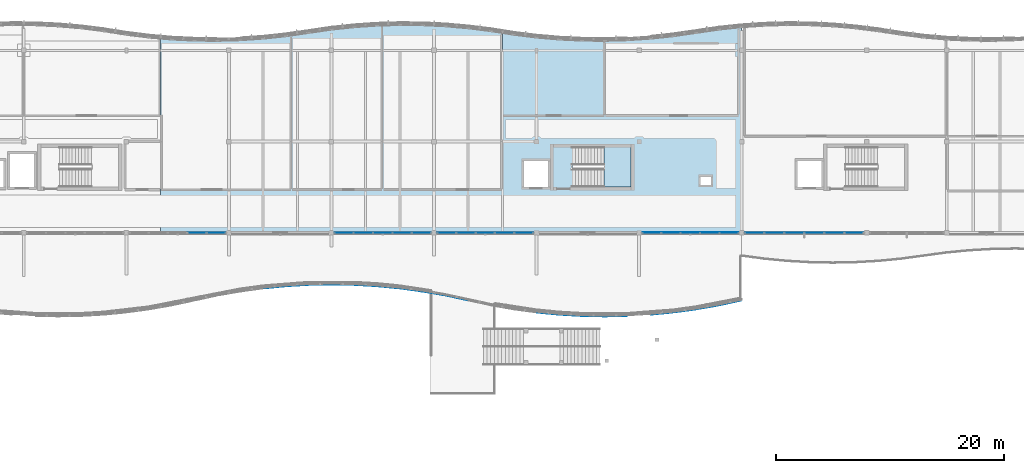
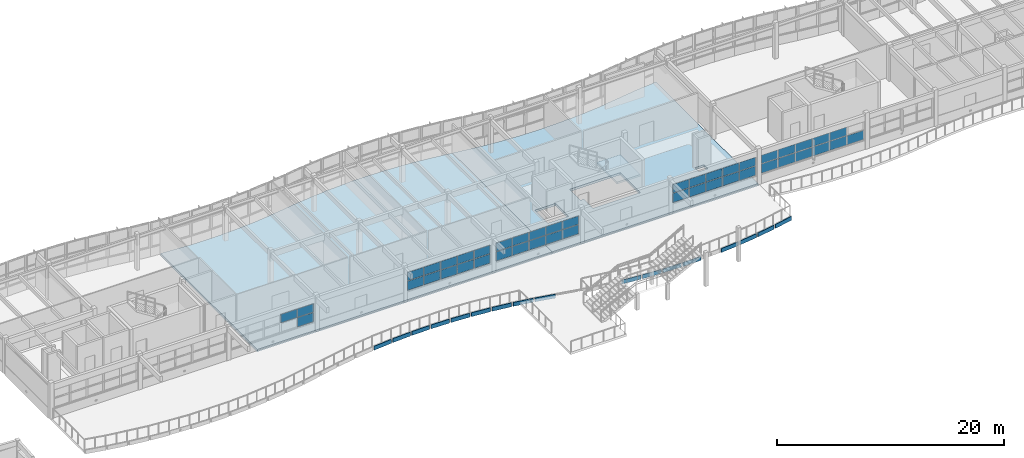
# One storey, part 23 of 52: 61 plates, 3 slabs, 6 elements without a shape of their own.
"""IFC4 building model written with IfcOpenShell, lengths in metres."""

from ifc_helpers import new_model, si_unit, direction, frame, origin, origin_2d, place, context, subcontext, project, spatial, polyline, rectangle, outline, extrude, material, layer, layer_set, type_object, element, aggregate, save


model = new_model("IFC4")

# Units and contexts
model_context = context("Model", 3, precision=1e-05, world=origin(), true_north=direction((0.0, 1.0)))
body_context = subcontext(model_context, "Body", "Model", "MODEL_VIEW")
ifc_project = project(units=[si_unit("LENGTHUNIT", "METRE"), si_unit("AREAUNIT", "SQUARE_METRE"), si_unit("VOLUMEUNIT", "CUBIC_METRE"), si_unit("PLANEANGLEUNIT", "RADIAN"), si_unit("MASSUNIT", "GRAM", prefix="KILO")], contexts=[model_context])

# Site, building, storey
site_placement = place(None, origin())
site = spatial("IfcSite", under=ifc_project, at=site_placement, CompositionType="ELEMENT")
building_placement = place(site_placement, origin())
building = spatial("IfcBuilding", under=site, at=building_placement, Name="Tonlespit Floodbar School", CompositionType="ELEMENT")
storey_placement = place(building_placement, frame((0.0, 0.0, 12.300048828125)))
storey = spatial("IfcBuildingStorey", under=building, at=storey_placement, Name="L03", CompositionType="ELEMENT", Elevation=12.300048828125)

# Curtain wall, plates
ifc_material_1 = material(Name="Anodised Aluminium", Category="aluminium")
ifc_layer_1 = layer(ifc_material_1, 0.159912109375)
ifc_layer_set_1 = layer_set([ifc_layer_1], Name="Anodised Aluminium")
curtain_wall_type_1 = type_object("IfcCurtainWallType", Name="CurtainWall_8500x2050", PredefinedType="NOTDEFINED", material=ifc_layer_set_1)
curtain_wall_1_placement = place(storey_placement, origin())
curtain_wall_1 = element("IfcCurtainWall", 1, at=curtain_wall_1_placement, inside=storey, type_object=curtain_wall_type_1, Name="L03 unitised curtain wall 0161", PredefinedType="NOTDEFINED")
ifc_material_2 = material(Name="Laminated Low-E Glass", Category="glass")
ifc_layer_2 = layer(ifc_material_2, 0.028076171875)
ifc_layer_set_2 = layer_set([ifc_layer_2], Name="Laminated Low-E Glass")
plate_type_1 = type_object("IfcPlateType", Name="CW_Panel_Glaz_28", PredefinedType="CURTAIN_PANEL", material=ifc_layer_set_2)
plate_1_placement = place(storey_placement, frame((96.891845703125, 104.0, 1.014892578125), z_axis=(0.0, 0.0, 1.0), x_axis=(-1.0, 0.0, 0.0)))
plate_1 = element("IfcPlate", 2, at=plate_1_placement, type_object=plate_type_1, Name="CW-07 panel 1.1", PredefinedType="CURTAIN_PANEL", context=body_context, shape_type="SweptSolid", body=[
    extrude(rectangle(XDim=1.6064453125, YDim=0.028076171875, at=origin_2d()), origin(), (0.0, 0.0, 1.0), 0.97265625),
])
plate_2_placement = place(storey_placement, frame((96.891845703125, 104.0, 2.052734375), z_axis=(0.0, 0.0, 1.0), x_axis=(-1.0, 0.0, 0.0)))
plate_2 = element("IfcPlate", 3, at=plate_2_placement, type_object=plate_type_1, Name="CW-07 panel 1.2", PredefinedType="CURTAIN_PANEL", context=body_context, shape_type="SweptSolid", body=[
    extrude(rectangle(XDim=1.6064453125, YDim=0.028076171875, at=origin_2d()), origin(), (0.0, 0.0, 1.0), 0.890380859375),
])
plate_3_placement = place(storey_placement, frame((95.2041015625, 104.0, 1.014892578125), z_axis=(0.0, 0.0, 1.0), x_axis=(-1.0, 0.0, 0.0)))
plate_3 = element("IfcPlate", 4, at=plate_3_placement, type_object=plate_type_1, Name="CW-07 panel 2.1", PredefinedType="CURTAIN_PANEL", context=body_context, shape_type="SweptSolid", body=[
    extrude(rectangle(XDim=1.638916015625, YDim=0.028076171875, at=origin_2d()), origin(), (0.0, 0.0, 1.0), 0.97265625),
])
plate_4_placement = place(storey_placement, frame((95.2041015625, 104.0, 2.052734375), z_axis=(0.0, 0.0, 1.0), x_axis=(-1.0, 0.0, 0.0)))
plate_4 = element("IfcPlate", 5, at=plate_4_placement, type_object=plate_type_1, Name="CW-07 panel 2.2", PredefinedType="CURTAIN_PANEL", context=body_context, shape_type="SweptSolid", body=[
    extrude(rectangle(XDim=1.638916015625, YDim=0.028076171875, at=origin_2d()), origin(), (0.0, 0.0, 1.0), 0.890380859375),
])
plate_5_placement = place(storey_placement, frame((93.5, 104.0, 1.014892578125), z_axis=(0.0, 0.0, 1.0), x_axis=(-1.0, 0.0, 0.0)))
plate_5 = element("IfcPlate", 6, at=plate_5_placement, type_object=plate_type_1, Name="CW-07 panel 3.1", PredefinedType="CURTAIN_PANEL", context=body_context, shape_type="SweptSolid", body=[
    extrude(rectangle(XDim=1.638916015625, YDim=0.028076171875, at=origin_2d()), origin(), (0.0, 0.0, 1.0), 0.97265625),
])
plate_6_placement = place(storey_placement, frame((93.5, 104.0, 2.052734375), z_axis=(0.0, 0.0, 1.0), x_axis=(-1.0, 0.0, 0.0)))
plate_6 = element("IfcPlate", 7, at=plate_6_placement, type_object=plate_type_1, Name="CW-07 panel 3.2", PredefinedType="CURTAIN_PANEL", context=body_context, shape_type="SweptSolid", body=[
    extrude(rectangle(XDim=1.638916015625, YDim=0.028076171875, at=origin_2d()), origin(), (0.0, 0.0, 1.0), 0.890380859375),
])
plate_7_placement = place(storey_placement, frame((91.7958984375, 104.0, 1.014892578125), z_axis=(0.0, 0.0, 1.0), x_axis=(-1.0, 0.0, 0.0)))
plate_7 = element("IfcPlate", 8, at=plate_7_placement, type_object=plate_type_1, Name="CW-07 panel 4.1", PredefinedType="CURTAIN_PANEL", context=body_context, shape_type="SweptSolid", body=[
    extrude(rectangle(XDim=1.638916015625, YDim=0.028076171875, at=origin_2d()), origin(), (0.0, 0.0, 1.0), 0.97265625),
])
plate_8_placement = place(storey_placement, frame((91.7958984375, 104.0, 2.052734375), z_axis=(0.0, 0.0, 1.0), x_axis=(-1.0, 0.0, 0.0)))
plate_8 = element("IfcPlate", 9, at=plate_8_placement, type_object=plate_type_1, Name="CW-07 panel 4.2", PredefinedType="CURTAIN_PANEL", context=body_context, shape_type="SweptSolid", body=[
    extrude(rectangle(XDim=1.638916015625, YDim=0.028076171875, at=origin_2d()), origin(), (0.0, 0.0, 1.0), 0.890380859375),
])
plate_9_placement = place(storey_placement, frame((90.108154296875, 104.0, 1.014892578125), z_axis=(0.0, 0.0, 1.0), x_axis=(-1.0, 0.0, 0.0)))
plate_9 = element("IfcPlate", 10, at=plate_9_placement, type_object=plate_type_1, Name="CW-07 panel 5.1", PredefinedType="CURTAIN_PANEL", context=body_context, shape_type="SweptSolid", body=[
    extrude(rectangle(XDim=1.6064453125, YDim=0.028076171875, at=origin_2d()), origin(), (0.0, 0.0, 1.0), 0.97265625),
])
plate_10_placement = place(storey_placement, frame((90.108154296875, 104.0, 2.052734375), z_axis=(0.0, 0.0, 1.0), x_axis=(-1.0, 0.0, 0.0)))
plate_10 = element("IfcPlate", 11, at=plate_10_placement, type_object=plate_type_1, Name="CW-07 panel 5.2", PredefinedType="CURTAIN_PANEL", context=body_context, shape_type="SweptSolid", body=[
    extrude(rectangle(XDim=1.6064453125, YDim=0.028076171875, at=origin_2d()), origin(), (0.0, 0.0, 1.0), 0.890380859375),
])
aggregate(curtain_wall_1, [plate_1, plate_2, plate_3, plate_4, plate_5, plate_6, plate_7, plate_8, plate_9, plate_10])

ifc_layer_3 = layer(ifc_material_1, 0.159912109375)
ifc_layer_set_3 = layer_set([ifc_layer_3], Name="Anodised Aluminium")
curtain_wall_type_2 = type_object("IfcCurtainWallType", Name="CurtainWall_10500x2050", PredefinedType="NOTDEFINED", material=ifc_layer_set_3)
curtain_wall_2_placement = place(storey_placement, origin())
curtain_wall_2 = element("IfcCurtainWall", 12, at=curtain_wall_2_placement, inside=storey, type_object=curtain_wall_type_2, Name="L03 unitised curtain wall 0473", PredefinedType="NOTDEFINED")
plate_11_placement = place(storey_placement, frame((125.8671875, 104.0, 1.014892578125), z_axis=(0.0, 0.0, 1.0), x_axis=(-1.0, 0.0, 0.0)))
plate_11 = element("IfcPlate", 13, at=plate_11_placement, type_object=plate_type_1, Name="CW-68 panel 1.1", PredefinedType="CURTAIN_PANEL", context=body_context, shape_type="SweptSolid", body=[
    extrude(rectangle(XDim=1.65576171875, YDim=0.028076171875, at=origin_2d()), origin(), (0.0, 0.0, 1.0), 0.97119140625),
])
plate_12_placement = place(storey_placement, frame((124.1298828125, 104.0, 1.014892578125), z_axis=(0.0, 0.0, 1.0), x_axis=(-1.0, 0.0, 0.0)))
plate_12 = element("IfcPlate", 14, at=plate_12_placement, type_object=plate_type_1, Name="CW-68 panel 2.1", PredefinedType="CURTAIN_PANEL", context=body_context, shape_type="SweptSolid", body=[
    extrude(rectangle(XDim=1.688232421875, YDim=0.028076171875, at=origin_2d()), origin(), (0.0, 0.0, 1.0), 0.97119140625),
])
plate_13_placement = place(storey_placement, frame((124.1298828125, 104.0, 2.05126953125), z_axis=(0.0, 0.0, 1.0), x_axis=(-1.0, 0.0, 0.0)))
plate_13 = element("IfcPlate", 15, at=plate_13_placement, type_object=plate_type_1, Name="CW-68 panel 2.2", PredefinedType="CURTAIN_PANEL", context=body_context, shape_type="SweptSolid", body=[
    extrude(rectangle(XDim=1.688232421875, YDim=0.028076171875, at=origin_2d()), origin(), (0.0, 0.0, 1.0), 0.888916015625),
])
plate_14_placement = place(storey_placement, frame((122.376708984375, 104.0, 1.014892578125), z_axis=(0.0, 0.0, 1.0), x_axis=(-1.0, 0.0, 0.0)))
plate_14 = element("IfcPlate", 16, at=plate_14_placement, type_object=plate_type_1, Name="CW-68 panel 3.1", PredefinedType="CURTAIN_PANEL", context=body_context, shape_type="SweptSolid", body=[
    extrude(rectangle(XDim=1.688232421875, YDim=0.028076171875, at=origin_2d()), origin(), (0.0, 0.0, 1.0), 0.97119140625),
])
plate_15_placement = place(storey_placement, frame((122.376708984375, 104.0, 2.05126953125), z_axis=(0.0, 0.0, 1.0), x_axis=(-1.0, 0.0, 0.0)))
plate_15 = element("IfcPlate", 17, at=plate_15_placement, type_object=plate_type_1, Name="CW-68 panel 3.2", PredefinedType="CURTAIN_PANEL", context=body_context, shape_type="SweptSolid", body=[
    extrude(rectangle(XDim=1.688232421875, YDim=0.028076171875, at=origin_2d()), origin(), (0.0, 0.0, 1.0), 0.888916015625),
])
plate_16_placement = place(storey_placement, frame((120.623291015625, 104.0, 1.014892578125), z_axis=(0.0, 0.0, 1.0), x_axis=(-1.0, 0.0, 0.0)))
plate_16 = element("IfcPlate", 18, at=plate_16_placement, type_object=plate_type_1, Name="CW-68 panel 4.1", PredefinedType="CURTAIN_PANEL", context=body_context, shape_type="SweptSolid", body=[
    extrude(rectangle(XDim=1.688232421875, YDim=0.028076171875, at=origin_2d()), origin(), (0.0, 0.0, 1.0), 0.97119140625),
])
plate_17_placement = place(storey_placement, frame((120.623291015625, 104.0, 2.05126953125), z_axis=(0.0, 0.0, 1.0), x_axis=(-1.0, 0.0, 0.0)))
plate_17 = element("IfcPlate", 19, at=plate_17_placement, type_object=plate_type_1, Name="CW-68 panel 4.2", PredefinedType="CURTAIN_PANEL", context=body_context, shape_type="SweptSolid", body=[
    extrude(rectangle(XDim=1.688232421875, YDim=0.028076171875, at=origin_2d()), origin(), (0.0, 0.0, 1.0), 0.888916015625),
])
plate_18_placement = place(storey_placement, frame((118.8701171875, 104.0, 1.014892578125), z_axis=(0.0, 0.0, 1.0), x_axis=(-1.0, 0.0, 0.0)))
plate_18 = element("IfcPlate", 20, at=plate_18_placement, type_object=plate_type_1, Name="CW-68 panel 5.1", PredefinedType="CURTAIN_PANEL", context=body_context, shape_type="SweptSolid", body=[
    extrude(rectangle(XDim=1.688232421875, YDim=0.028076171875, at=origin_2d()), origin(), (0.0, 0.0, 1.0), 0.97119140625),
])
plate_19_placement = place(storey_placement, frame((118.8701171875, 104.0, 2.05126953125), z_axis=(0.0, 0.0, 1.0), x_axis=(-1.0, 0.0, 0.0)))
plate_19 = element("IfcPlate", 21, at=plate_19_placement, type_object=plate_type_1, Name="CW-68 panel 5.2", PredefinedType="CURTAIN_PANEL", context=body_context, shape_type="SweptSolid", body=[
    extrude(rectangle(XDim=1.688232421875, YDim=0.028076171875, at=origin_2d()), origin(), (0.0, 0.0, 1.0), 0.888916015625),
])
plate_20_placement = place(storey_placement, frame((117.1328125, 104.0, 1.014892578125), z_axis=(0.0, 0.0, 1.0), x_axis=(-1.0, 0.0, 0.0)))
plate_20 = element("IfcPlate", 22, at=plate_20_placement, type_object=plate_type_1, Name="CW-68 panel 6.1", PredefinedType="CURTAIN_PANEL", context=body_context, shape_type="SweptSolid", body=[
    extrude(rectangle(XDim=1.65576171875, YDim=0.028076171875, at=origin_2d()), origin(), (0.0, 0.0, 1.0), 0.97119140625),
])
plate_21_placement = place(storey_placement, frame((117.1328125, 104.0, 2.05126953125), z_axis=(0.0, 0.0, 1.0), x_axis=(-1.0, 0.0, 0.0)))
plate_21 = element("IfcPlate", 23, at=plate_21_placement, type_object=plate_type_1, Name="CW-68 panel 6.2", PredefinedType="CURTAIN_PANEL", context=body_context, shape_type="SweptSolid", body=[
    extrude(rectangle(XDim=1.65576171875, YDim=0.028076171875, at=origin_2d()), origin(), (0.0, 0.0, 1.0), 0.888916015625),
])
aggregate(curtain_wall_2, [plate_11, plate_12, plate_13, plate_14, plate_15, plate_16, plate_17, plate_18, plate_19, plate_20, plate_21])

curtain_wall_3_placement = place(storey_placement, origin())
curtain_wall_3 = element("IfcCurtainWall", 24, at=curtain_wall_3_placement, inside=storey, type_object=curtain_wall_type_1, Name="L03 unitised curtain wall 0162", PredefinedType="NOTDEFINED")
ifc_layer_4 = layer(ifc_material_2, 0.031982421875)
ifc_layer_set_4 = layer_set([ifc_layer_4], Name="Laminated Low-E Glass")
plate_type_2 = type_object("IfcPlateType", Name="CW_Panel_Glaz_32", PredefinedType="CURTAIN_PANEL", material=ifc_layer_set_4)
plate_22_placement = place(storey_placement, frame((87.891845703125, 104.0, 1.014892578125), z_axis=(0.0, 0.0, 1.0), x_axis=(-1.0, 0.0, 0.0)))
plate_22 = element("IfcPlate", 25, at=plate_22_placement, type_object=plate_type_2, Name="CW-07 panel 1.1", PredefinedType="CURTAIN_PANEL", context=body_context, shape_type="SweptSolid", body=[
    extrude(rectangle(XDim=1.6064453125, YDim=0.031982421875, at=origin_2d()), origin(), (0.0, 0.0, 1.0), 0.97265625),
])
plate_23_placement = place(storey_placement, frame((87.891845703125, 104.0, 2.052734375), z_axis=(0.0, 0.0, 1.0), x_axis=(-1.0, 0.0, 0.0)))
plate_23 = element("IfcPlate", 26, at=plate_23_placement, type_object=plate_type_2, Name="CW-07 panel 1.2", PredefinedType="CURTAIN_PANEL", context=body_context, shape_type="SweptSolid", body=[
    extrude(rectangle(XDim=1.6064453125, YDim=0.031982421875, at=origin_2d()), origin(), (0.0, 0.0, 1.0), 0.890380859375),
])
plate_24_placement = place(storey_placement, frame((86.2041015625, 104.0, 1.014892578125), z_axis=(0.0, 0.0, 1.0), x_axis=(-1.0, 0.0, 0.0)))
plate_24 = element("IfcPlate", 27, at=plate_24_placement, type_object=plate_type_2, Name="CW-07 panel 2.1", PredefinedType="CURTAIN_PANEL", context=body_context, shape_type="SweptSolid", body=[
    extrude(rectangle(XDim=1.638916015625, YDim=0.031982421875, at=origin_2d()), origin(), (0.0, 0.0, 1.0), 0.97265625),
])
plate_25_placement = place(storey_placement, frame((86.2041015625, 104.0, 2.052734375), z_axis=(0.0, 0.0, 1.0), x_axis=(-1.0, 0.0, 0.0)))
plate_25 = element("IfcPlate", 28, at=plate_25_placement, type_object=plate_type_2, Name="CW-07 panel 2.2", PredefinedType="CURTAIN_PANEL", context=body_context, shape_type="SweptSolid", body=[
    extrude(rectangle(XDim=1.638916015625, YDim=0.031982421875, at=origin_2d()), origin(), (0.0, 0.0, 1.0), 0.890380859375),
])
plate_26_placement = place(storey_placement, frame((84.5, 104.0, 1.014892578125), z_axis=(0.0, 0.0, 1.0), x_axis=(-1.0, 0.0, 0.0)))
plate_26 = element("IfcPlate", 29, at=plate_26_placement, type_object=plate_type_2, Name="CW-07 panel 3.1", PredefinedType="CURTAIN_PANEL", context=body_context, shape_type="SweptSolid", body=[
    extrude(rectangle(XDim=1.638916015625, YDim=0.031982421875, at=origin_2d()), origin(), (0.0, 0.0, 1.0), 0.97265625),
])
plate_27_placement = place(storey_placement, frame((84.5, 104.0, 2.052734375), z_axis=(0.0, 0.0, 1.0), x_axis=(-1.0, 0.0, 0.0)))
plate_27 = element("IfcPlate", 30, at=plate_27_placement, type_object=plate_type_2, Name="CW-07 panel 3.2", PredefinedType="CURTAIN_PANEL", context=body_context, shape_type="SweptSolid", body=[
    extrude(rectangle(XDim=1.638916015625, YDim=0.031982421875, at=origin_2d()), origin(), (0.0, 0.0, 1.0), 0.890380859375),
])
plate_28_placement = place(storey_placement, frame((82.7958984375, 104.0, 1.014892578125), z_axis=(0.0, 0.0, 1.0), x_axis=(-1.0, 0.0, 0.0)))
plate_28 = element("IfcPlate", 31, at=plate_28_placement, type_object=plate_type_2, Name="CW-07 panel 4.1", PredefinedType="CURTAIN_PANEL", context=body_context, shape_type="SweptSolid", body=[
    extrude(rectangle(XDim=1.638916015625, YDim=0.031982421875, at=origin_2d()), origin(), (0.0, 0.0, 1.0), 0.97265625),
])
plate_29_placement = place(storey_placement, frame((82.7958984375, 104.0, 2.052734375), z_axis=(0.0, 0.0, 1.0), x_axis=(-1.0, 0.0, 0.0)))
plate_29 = element("IfcPlate", 32, at=plate_29_placement, type_object=plate_type_2, Name="CW-07 panel 4.2", PredefinedType="CURTAIN_PANEL", context=body_context, shape_type="SweptSolid", body=[
    extrude(rectangle(XDim=1.638916015625, YDim=0.031982421875, at=origin_2d()), origin(), (0.0, 0.0, 1.0), 0.890380859375),
])
plate_30_placement = place(storey_placement, frame((81.108154296875, 104.0, 1.014892578125), z_axis=(0.0, 0.0, 1.0), x_axis=(-1.0, 0.0, 0.0)))
plate_30 = element("IfcPlate", 33, at=plate_30_placement, type_object=plate_type_2, Name="CW-07 panel 5.1", PredefinedType="CURTAIN_PANEL", context=body_context, shape_type="SweptSolid", body=[
    extrude(rectangle(XDim=1.6064453125, YDim=0.031982421875, at=origin_2d()), origin(), (0.0, 0.0, 1.0), 0.97265625),
])
plate_31_placement = place(storey_placement, frame((81.108154296875, 104.0, 2.052734375), z_axis=(0.0, 0.0, 1.0), x_axis=(-1.0, 0.0, 0.0)))
plate_31 = element("IfcPlate", 34, at=plate_31_placement, type_object=plate_type_2, Name="CW-07 panel 5.2", PredefinedType="CURTAIN_PANEL", context=body_context, shape_type="SweptSolid", body=[
    extrude(rectangle(XDim=1.6064453125, YDim=0.031982421875, at=origin_2d()), origin(), (0.0, 0.0, 1.0), 0.890380859375),
])
aggregate(curtain_wall_3, [plate_22, plate_23, plate_24, plate_25, plate_26, plate_27, plate_28, plate_29, plate_30, plate_31])

curtain_wall_4_placement = place(storey_placement, origin())
curtain_wall_4 = element("IfcCurtainWall", 35, at=curtain_wall_4_placement, inside=storey, type_object=curtain_wall_type_1, Name="L03 unitised curtain wall 0163", PredefinedType="NOTDEFINED")
ifc_layer_5 = layer(ifc_material_2, 0.035888671875)
ifc_layer_set_5 = layer_set([ifc_layer_5], Name="Laminated Low-E Glass")
plate_type_3 = type_object("IfcPlateType", Name="CW_Panel_Glaz_36", PredefinedType="CURTAIN_PANEL", material=ifc_layer_set_5)
plate_32_placement = place(storey_placement, frame((69.891845703125, 104.0, 1.014892578125), z_axis=(0.0, 0.0, 1.0), x_axis=(-1.0, 0.0, 0.0)))
plate_32 = element("IfcPlate", 36, at=plate_32_placement, type_object=plate_type_3, Name="CW-07 panel 1.1", PredefinedType="CURTAIN_PANEL", context=body_context, shape_type="SweptSolid", body=[
    extrude(rectangle(XDim=1.6064453125, YDim=0.035888671875, at=origin_2d()), origin(), (0.0, 0.0, 1.0), 0.97265625),
])
plate_33_placement = place(storey_placement, frame((69.891845703125, 104.0, 2.052734375), z_axis=(0.0, 0.0, 1.0), x_axis=(-1.0, 0.0, 0.0)))
plate_33 = element("IfcPlate", 37, at=plate_33_placement, type_object=plate_type_3, Name="CW-07 panel 1.2", PredefinedType="CURTAIN_PANEL", context=body_context, shape_type="SweptSolid", body=[
    extrude(rectangle(XDim=1.6064453125, YDim=0.035888671875, at=origin_2d()), origin(), (0.0, 0.0, 1.0), 0.890380859375),
])
plate_34_placement = place(storey_placement, frame((68.2041015625, 104.0, 2.052734375), z_axis=(0.0, 0.0, 1.0), x_axis=(-1.0, 0.0, 0.0)))
plate_34 = element("IfcPlate", 38, at=plate_34_placement, type_object=plate_type_3, Name="CW-07 panel 2.2", PredefinedType="CURTAIN_PANEL", context=body_context, shape_type="SweptSolid", body=[
    extrude(rectangle(XDim=1.638916015625, YDim=0.035888671875, at=origin_2d()), origin(), (0.0, 0.0, 1.0), 0.890380859375),
])
aggregate(curtain_wall_4, [plate_32, plate_33, plate_34])

curtain_wall_5_placement = place(storey_placement, origin())
curtain_wall_5 = element("IfcCurtainWall", 39, at=curtain_wall_5_placement, inside=storey, type_object=curtain_wall_type_1, Name="L03 unitised curtain wall 0160", PredefinedType="NOTDEFINED")
ifc_layer_6 = layer(ifc_material_2, 0.0419921875)
ifc_layer_set_6 = layer_set([ifc_layer_6], Name="Laminated Low-E Glass")
plate_type_4 = type_object("IfcPlateType", Name="CW_Panel_Glaz_42", PredefinedType="CURTAIN_PANEL", material=ifc_layer_set_6)
plate_35_placement = place(storey_placement, frame((114.891845703125, 104.0, 1.014892578125), z_axis=(0.0, 0.0, 1.0), x_axis=(-1.0, 0.0, 0.0)))
plate_35 = element("IfcPlate", 40, at=plate_35_placement, type_object=plate_type_4, Name="CW-07 panel 1.1", PredefinedType="CURTAIN_PANEL", context=body_context, shape_type="SweptSolid", body=[
    extrude(rectangle(XDim=1.6064453125, YDim=0.0419921875, at=origin_2d()), origin(), (0.0, 0.0, 1.0), 0.97265625),
])
plate_36_placement = place(storey_placement, frame((114.891845703125, 104.0, 2.052734375), z_axis=(0.0, 0.0, 1.0), x_axis=(-1.0, 0.0, 0.0)))
plate_36 = element("IfcPlate", 41, at=plate_36_placement, type_object=plate_type_4, Name="CW-07 panel 1.2", PredefinedType="CURTAIN_PANEL", context=body_context, shape_type="SweptSolid", body=[
    extrude(rectangle(XDim=1.6064453125, YDim=0.0419921875, at=origin_2d()), origin(), (0.0, 0.0, 1.0), 0.890380859375),
])
plate_37_placement = place(storey_placement, frame((113.2041015625, 104.0, 1.014892578125), z_axis=(0.0, 0.0, 1.0), x_axis=(-1.0, 0.0, 0.0)))
plate_37 = element("IfcPlate", 42, at=plate_37_placement, type_object=plate_type_4, Name="CW-07 panel 2.1", PredefinedType="CURTAIN_PANEL", context=body_context, shape_type="SweptSolid", body=[
    extrude(rectangle(XDim=1.638916015625, YDim=0.0419921875, at=origin_2d()), origin(), (0.0, 0.0, 1.0), 0.97265625),
])
plate_38_placement = place(storey_placement, frame((113.2041015625, 104.0, 2.052734375), z_axis=(0.0, 0.0, 1.0), x_axis=(-1.0, 0.0, 0.0)))
plate_38 = element("IfcPlate", 43, at=plate_38_placement, type_object=plate_type_4, Name="CW-07 panel 2.2", PredefinedType="CURTAIN_PANEL", context=body_context, shape_type="SweptSolid", body=[
    extrude(rectangle(XDim=1.638916015625, YDim=0.0419921875, at=origin_2d()), origin(), (0.0, 0.0, 1.0), 0.890380859375),
])
plate_39_placement = place(storey_placement, frame((111.5, 104.0, 1.014892578125), z_axis=(0.0, 0.0, 1.0), x_axis=(-1.0, 0.0, 0.0)))
plate_39 = element("IfcPlate", 44, at=plate_39_placement, type_object=plate_type_4, Name="CW-07 panel 3.1", PredefinedType="CURTAIN_PANEL", context=body_context, shape_type="SweptSolid", body=[
    extrude(rectangle(XDim=1.638916015625, YDim=0.0419921875, at=origin_2d()), origin(), (0.0, 0.0, 1.0), 0.97265625),
])
plate_40_placement = place(storey_placement, frame((111.5, 104.0, 2.052734375), z_axis=(0.0, 0.0, 1.0), x_axis=(-1.0, 0.0, 0.0)))
plate_40 = element("IfcPlate", 45, at=plate_40_placement, type_object=plate_type_4, Name="CW-07 panel 3.2", PredefinedType="CURTAIN_PANEL", context=body_context, shape_type="SweptSolid", body=[
    extrude(rectangle(XDim=1.638916015625, YDim=0.0419921875, at=origin_2d()), origin(), (0.0, 0.0, 1.0), 0.890380859375),
])
plate_41_placement = place(storey_placement, frame((109.7958984375, 104.0, 1.014892578125), z_axis=(0.0, 0.0, 1.0), x_axis=(-1.0, 0.0, 0.0)))
plate_41 = element("IfcPlate", 46, at=plate_41_placement, type_object=plate_type_4, Name="CW-07 panel 4.1", PredefinedType="CURTAIN_PANEL", context=body_context, shape_type="SweptSolid", body=[
    extrude(rectangle(XDim=1.638916015625, YDim=0.0419921875, at=origin_2d()), origin(), (0.0, 0.0, 1.0), 0.97265625),
])
plate_42_placement = place(storey_placement, frame((109.7958984375, 104.0, 2.052734375), z_axis=(0.0, 0.0, 1.0), x_axis=(-1.0, 0.0, 0.0)))
plate_42 = element("IfcPlate", 47, at=plate_42_placement, type_object=plate_type_4, Name="CW-07 panel 4.2", PredefinedType="CURTAIN_PANEL", context=body_context, shape_type="SweptSolid", body=[
    extrude(rectangle(XDim=1.638916015625, YDim=0.0419921875, at=origin_2d()), origin(), (0.0, 0.0, 1.0), 0.890380859375),
])
plate_43_placement = place(storey_placement, frame((108.108154296875, 104.0, 1.014892578125), z_axis=(0.0, 0.0, 1.0), x_axis=(-1.0, 0.0, 0.0)))
plate_43 = element("IfcPlate", 48, at=plate_43_placement, type_object=plate_type_4, Name="CW-07 panel 5.1", PredefinedType="CURTAIN_PANEL", context=body_context, shape_type="SweptSolid", body=[
    extrude(rectangle(XDim=1.6064453125, YDim=0.0419921875, at=origin_2d()), origin(), (0.0, 0.0, 1.0), 0.97265625),
])
plate_44_placement = place(storey_placement, frame((108.108154296875, 104.0, 2.052734375), z_axis=(0.0, 0.0, 1.0), x_axis=(-1.0, 0.0, 0.0)))
plate_44 = element("IfcPlate", 49, at=plate_44_placement, type_object=plate_type_4, Name="CW-07 panel 5.2", PredefinedType="CURTAIN_PANEL", context=body_context, shape_type="SweptSolid", body=[
    extrude(rectangle(XDim=1.6064453125, YDim=0.0419921875, at=origin_2d()), origin(), (0.0, 0.0, 1.0), 0.890380859375),
])
aggregate(curtain_wall_5, [plate_35, plate_36, plate_37, plate_38, plate_39, plate_40, plate_41, plate_42, plate_43, plate_44])

# Plates
ifc_material_3 = material(Name="White Architectural Aluminium", Category="aluminium")
ifc_layer_7 = layer(ifc_material_3, 0.06494140625)
ifc_layer_set_7 = layer_set([ifc_layer_7], Name="White Architectural Aluminium")
plate_type_5 = type_object("IfcPlateType", Name="FacadeRibbon_White_65", PredefinedType="SHEET", material=ifc_layer_set_7)
plate_45_placement = place(storey_placement, frame((75.0, 99.23095703125, -0.300048828125), z_axis=(0.0, 0.0, 1.0), x_axis=(0.995361841764, 0.096201891669, 0.0)))
element("IfcPlate", 50, at=plate_45_placement, inside=storey, type_object=plate_type_5, Name="L03 flowing white street spandrel ribbon 0276", PredefinedType="SHEET", context=body_context, shape_type="SweptSolid", body=[
    extrude(rectangle(XDim=1.849365234375, YDim=0.06494140625, at=origin_2d()), origin(), (0.0, 0.0, 1.0), 0.419921875),
])
plate_46_placement = place(storey_placement, frame((77.0, 99.38525390625, -0.300048828125), z_axis=(0.0, 0.0, 1.0), x_axis=(0.998333769428, 0.057703421212, 0.0)))
element("IfcPlate", 51, at=plate_46_placement, inside=storey, type_object=plate_type_5, Name="L03 flowing white street spandrel ribbon 0277", PredefinedType="SHEET", context=body_context, shape_type="SweptSolid", body=[
    extrude(rectangle(XDim=1.84326171875, YDim=0.06494140625, at=origin_2d()), origin(), (0.0, 0.0, 1.0), 0.419921875),
])
for number, where, z_axis, x_axis, name in (
    (52, (79.0, 99.46240234375, -0.300048828125), (0.0, 0.0, 1.0), (0.999814772764, 0.01924630259, 0.0), "L03 flowing white street spandrel ribbon 0278"),
    (53, (81.0, 99.46240234375, -0.300048828125), (0.0, 0.0, 1.0), (0.999814772764, -0.01924630259, 0.0), "L03 flowing white street spandrel ribbon 0279"),
):
    element("IfcPlate", number, at=place(storey_placement, frame(where, z_axis=z_axis, x_axis=x_axis)), inside=storey, type_object=plate_type_5, Name=name, PredefinedType="SHEET", context=body_context, shape_type="SweptSolid", body=[
        extrude(rectangle(XDim=1.84033203125, YDim=0.06494140625, at=origin_2d()), origin(), (0.0, 0.0, 1.0), 0.419921875),
    ])
plate_47_placement = place(storey_placement, frame((83.0, 99.38525390625, -0.300048828125), z_axis=(0.0, 0.0, 1.0), x_axis=(0.998333769428, -0.057703421212, 0.0)))
element("IfcPlate", 54, at=plate_47_placement, inside=storey, type_object=plate_type_5, Name="L03 flowing white street spandrel ribbon 0280", PredefinedType="SHEET", context=body_context, shape_type="SweptSolid", body=[
    extrude(rectangle(XDim=1.84326171875, YDim=0.06494140625, at=origin_2d()), origin(), (0.0, 0.0, 1.0), 0.419921875),
])
plate_48_placement = place(storey_placement, frame((85.0, 99.23095703125, -0.300048828125), z_axis=(0.0, 0.0, 1.0), x_axis=(0.995361841764, -0.096201891669, 0.0)))
element("IfcPlate", 55, at=plate_48_placement, inside=storey, type_object=plate_type_5, Name="L03 flowing white street spandrel ribbon 0281", PredefinedType="SHEET", context=body_context, shape_type="SweptSolid", body=[
    extrude(rectangle(XDim=1.849365234375, YDim=0.06494140625, at=origin_2d()), origin(), (0.0, 0.0, 1.0), 0.419921875),
])
plate_49_placement = place(storey_placement, frame((87.0, 98.998291015625, -0.300048828125), z_axis=(0.0, 0.0, 1.0), x_axis=(0.990898113281, -0.13461400037, 0.0)))
element("IfcPlate", 56, at=plate_49_placement, inside=storey, type_object=plate_type_5, Name="L03 flowing white street spandrel ribbon 0282", PredefinedType="SHEET", context=body_context, shape_type="SweptSolid", body=[
    extrude(rectangle(XDim=1.8583984375, YDim=0.06494140625, at=origin_2d()), origin(), (0.0, 0.0, 1.0), 0.419921875),
])
plate_50_placement = place(storey_placement, frame((89.0, 98.686767578125, -0.300048828125), z_axis=(0.0, 0.0, 1.0), x_axis=(0.984904884962, -0.17309641122, 0.0)))
element("IfcPlate", 57, at=plate_50_placement, inside=storey, type_object=plate_type_5, Name="L03 flowing white street spandrel ribbon 0283", PredefinedType="SHEET", context=body_context, shape_type="SweptSolid", body=[
    extrude(rectangle(XDim=1.87060546875, YDim=0.06494140625, at=origin_2d()), origin(), (0.0, 0.0, 1.0), 0.419921875),
])
plate_51_placement = place(storey_placement, frame((91.0, 98.29443359375, -0.300048828125), z_axis=(0.0, 0.0, 1.0), x_axis=(0.977356843161, -0.21159773422, 0.0)))
element("IfcPlate", 58, at=plate_51_placement, inside=storey, type_object=plate_type_5, Name="L03 flowing white street spandrel ribbon 0284", PredefinedType="SHEET", context=body_context, shape_type="SweptSolid", body=[
    extrude(rectangle(XDim=1.88623046875, YDim=0.06494140625, at=origin_2d()), origin(), (0.0, 0.0, 1.0), 0.419921875),
])
plate_52_placement = place(storey_placement, frame((99.0, 96.92529296875, -0.300048828125), z_axis=(0.0, 0.0, 1.0), x_axis=(0.995361841764, -0.096201891669, 0.0)))
element("IfcPlate", 59, at=plate_52_placement, inside=storey, type_object=plate_type_5, Name="L03 flowing white street spandrel ribbon 0288", PredefinedType="SHEET", context=body_context, shape_type="SweptSolid", body=[
    extrude(rectangle(XDim=1.849365234375, YDim=0.06494140625, at=origin_2d()), origin(), (0.0, 0.0, 1.0), 0.419921875),
])
plate_53_placement = place(storey_placement, frame((101.0, 96.770751953125, -0.300048828125), z_axis=(0.0, 0.0, 1.0), x_axis=(0.998333769428, -0.057703421212, 0.0)))
element("IfcPlate", 60, at=plate_53_placement, inside=storey, type_object=plate_type_5, Name="L03 flowing white street spandrel ribbon 0289", PredefinedType="SHEET", context=body_context, shape_type="SweptSolid", body=[
    extrude(rectangle(XDim=1.84326171875, YDim=0.06494140625, at=origin_2d()), origin(), (0.0, 0.0, 1.0), 0.419921875),
])
for number, where, z_axis, x_axis, name in (
    (61, (103.0, 96.693603515625, -0.300048828125), (0.0, 0.0, 1.0), (0.999814772764, -0.01924630259, 0.0), "L03 flowing white street spandrel ribbon 0290"),
    (62, (105.0, 96.693603515625, -0.300048828125), (0.0, 0.0, 1.0), (0.999814772764, 0.01924630259, 0.0), "L03 flowing white street spandrel ribbon 0291"),
):
    element("IfcPlate", number, at=place(storey_placement, frame(where, z_axis=z_axis, x_axis=x_axis)), inside=storey, type_object=plate_type_5, Name=name, PredefinedType="SHEET", context=body_context, shape_type="SweptSolid", body=[
        extrude(rectangle(XDim=1.84033203125, YDim=0.06494140625, at=origin_2d()), origin(), (0.0, 0.0, 1.0), 0.419921875),
    ])
plate_54_placement = place(storey_placement, frame((109.0, 96.92529296875, -0.300048828125), z_axis=(0.0, 0.0, 1.0), x_axis=(0.995361841764, 0.096201891669, 0.0)))
element("IfcPlate", 63, at=plate_54_placement, inside=storey, type_object=plate_type_5, Name="L03 flowing white street spandrel ribbon 0293", PredefinedType="SHEET", context=body_context, shape_type="SweptSolid", body=[
    extrude(rectangle(XDim=1.849365234375, YDim=0.06494140625, at=origin_2d()), origin(), (0.0, 0.0, 1.0), 0.419921875),
])
plate_55_placement = place(storey_placement, frame((111.0, 97.15771484375, -0.300048828125), z_axis=(0.0, 0.0, 1.0), x_axis=(0.990898113281, 0.13461400037, 0.0)))
element("IfcPlate", 64, at=plate_55_placement, inside=storey, type_object=plate_type_5, Name="L03 flowing white street spandrel ribbon 0294", PredefinedType="SHEET", context=body_context, shape_type="SweptSolid", body=[
    extrude(rectangle(XDim=1.8583984375, YDim=0.06494140625, at=origin_2d()), origin(), (0.0, 0.0, 1.0), 0.419921875),
])
plate_56_placement = place(storey_placement, frame((113.0, 97.46923828125, -0.300048828125), z_axis=(0.0, 0.0, 1.0), x_axis=(0.984904884962, 0.17309641122, 0.0)))
element("IfcPlate", 65, at=plate_56_placement, inside=storey, type_object=plate_type_5, Name="L03 flowing white street spandrel ribbon 0295", PredefinedType="SHEET", context=body_context, shape_type="SweptSolid", body=[
    extrude(rectangle(XDim=1.87060546875, YDim=0.06494140625, at=origin_2d()), origin(), (0.0, 0.0, 1.0), 0.419921875),
])
plate_57_placement = place(storey_placement, frame((115.0, 97.861572265625, -0.300048828125), z_axis=(0.0, 0.0, 1.0), x_axis=(0.977356843161, 0.21159773422, 0.0)))
element("IfcPlate", 66, at=plate_57_placement, inside=storey, type_object=plate_type_5, Name="L03 flowing white street spandrel ribbon 0296", PredefinedType="SHEET", context=body_context, shape_type="SweptSolid", body=[
    extrude(rectangle(XDim=1.88623046875, YDim=0.06494140625, at=origin_2d()), origin(), (0.0, 0.0, 1.0), 0.419921875),
])

# Stair, slab
ifc_material_4 = material(Name="Concrete C40/50", Category="concrete")
stair_type = type_object("IfcStairType", Name="Stair_Core_Upper", PredefinedType="HALF_TURN_STAIR", material=ifc_material_4)
stair_placement = place(storey_placement, origin())
stair = element("IfcStair", 67, at=stair_placement, inside=storey, type_object=stair_type, Name="L03 Core C2 escape stair", PredefinedType="HALF_TURN_STAIR")
ifc_layer_8 = layer(ifc_material_4, 0.199951171875)
ifc_layer_set_8 = layer_set([ifc_layer_8], Name="Concrete C40/50")
slab_type_1 = type_object("IfcSlabType", Name="Landing_Core_RC200", PredefinedType="LANDING", material=ifc_layer_set_8)
slab_1_placement = place(storey_placement, frame((0.0, 0.0, 1.75)))
slab_1 = element("IfcSlab", 68, at=slab_1_placement, type_object=slab_type_1, Name="ST-C2 landing 1", PredefinedType="LANDING", context=body_context, shape_type="SweptSolid", body=[
    extrude(outline(polyline([(103.919921875, 108.0), (106.300048828125, 108.0), (106.300048828125, 111.5400390625), (103.919921875, 111.5400390625), (103.919921875, 108.0)])), origin(), (0.0, 0.0, 1.0), 0.199951171875),
])
aggregate(stair, [slab_1])

# Slabs
ifc_material_5 = material(Name="CLT C24", Category="wood")
ifc_layer_9 = layer(ifc_material_5, 0.248046875)
ifc_layer_set_9 = layer_set([ifc_layer_9], Name="CLT C24")
slab_type_2 = type_object("IfcSlabType", Name="Slab_Floor_CLT_200", PredefinedType="FLOOR", material=ifc_layer_set_9)
slab_2_placement = place(storey_placement, frame((0.0, 0.0, -0.248046875)))
element("IfcSlab", 69, at=slab_2_placement, inside=storey, type_object=slab_type_2, Name="L03 V1 L03 central curved spine slab", PredefinedType="FLOOR", context=body_context, shape_type="SweptSolid", body=[
    extrude(outline(polyline([(65.0, 104.0), (95.0, 104.0), (95.0, 121.550048828125), (93.0, 121.841552734375), (91.0, 122.05419921875), (89.0, 122.189208984375), (87.0, 122.2470703125), (85.0, 122.227783203125), (83.0, 122.131591796875), (81.0, 121.957763671875), (79.0, 121.705810546875), (77.0, 121.394287109375), (75.0, 121.142333984375), (73.0, 120.968505859375), (71.0, 120.872314453125), (69.0, 120.85302734375), (67.0, 120.91064453125), (65.0, 121.045654296875), (65.0, 104.0)])), origin(), (0.0, 0.0, 1.0), 0.248046875),
])
slab_3_placement = place(storey_placement, frame((0.0, 0.0, -0.248046875)))
element("IfcSlab", 70, at=slab_3_placement, inside=storey, type_object=slab_type_2, Name="L03 V1 L03 east curved street slab", PredefinedType="FLOOR", context=body_context, shape_type="SweptSolid", body=[
    extrude(outline(polyline([(95.0, 104.0), (116.0, 104.0), (116.0, 122.05419921875), (113.89990234375, 121.828857421875), (111.800048828125, 121.517333984375), (109.699951171875, 121.221435546875), (107.60009765625, 121.012451171875), (105.5, 120.88916015625), (103.39990234375, 120.8505859375), (101.300048828125, 120.897216796875), (99.199951171875, 121.02880859375), (97.10009765625, 121.245849609375), (95.0, 121.550048828125), (95.0, 104.0)]), holes=[polyline([(101.5, 108.0), (106.300048828125, 108.0), (106.300048828125, 111.5400390625), (101.14501953125, 111.5400390625), (101.14501953125, 109.6201171875), (101.5, 109.6201171875), (101.5, 108.0)]), polyline([(96.89990234375, 108.0), (99.0, 108.0), (99.0, 110.300048828125), (96.89990234375, 110.300048828125), (96.89990234375, 108.0)]), polyline([(112.39990234375, 108.199951171875), (113.300048828125, 108.199951171875), (113.300048828125, 108.89990234375), (112.39990234375, 108.89990234375), (112.39990234375, 108.199951171875)])]), origin(), (0.0, 0.0, 1.0), 0.248046875),
])

save(model, "model.ifc")
